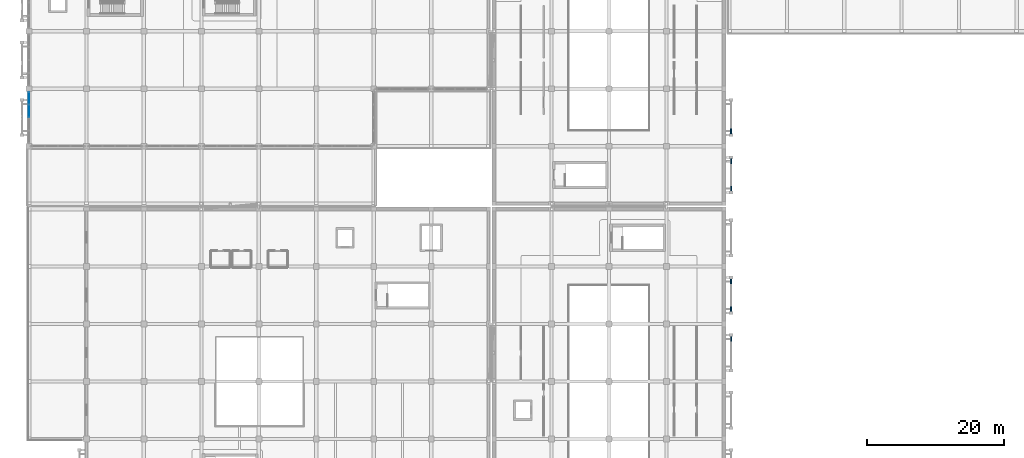
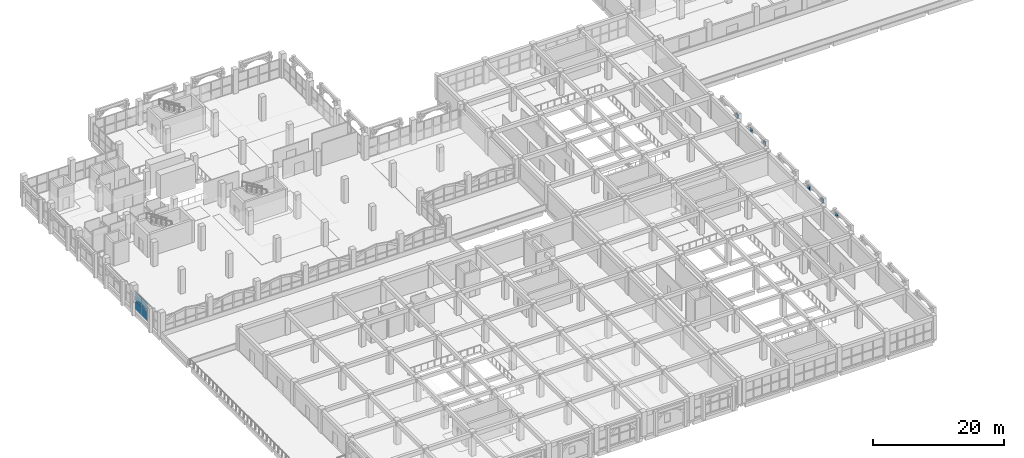
# One storey, part 95 of 129: 10 plates, 1 element without a shape of its own.
"""IFC4 building model written with IfcOpenShell, lengths in metres."""

from ifc_helpers import new_model, si_unit, direction, frame, origin, origin_2d, place, context, subcontext, project, spatial, rectangle, extrude, material, layer, layer_set, type_object, element, aggregate, save


model = new_model("IFC4")

# Units and contexts
model_context = context("Model", 3, precision=1e-05, world=origin(), true_north=direction((0.0, 1.0)))
body_context = subcontext(model_context, "Body", "Model", "MODEL_VIEW")
ifc_project = project(units=[si_unit("LENGTHUNIT", "METRE"), si_unit("AREAUNIT", "SQUARE_METRE"), si_unit("VOLUMEUNIT", "CUBIC_METRE"), si_unit("PLANEANGLEUNIT", "RADIAN"), si_unit("MASSUNIT", "GRAM", prefix="KILO")], contexts=[model_context])

# Site, building, storey
site_placement = place(None, origin())
site = spatial("IfcSite", under=ifc_project, at=site_placement, CompositionType="ELEMENT")
building_placement = place(site_placement, origin())
building = spatial("IfcBuilding", under=site, at=building_placement, Name="Xazarin Passage Department Store", CompositionType="ELEMENT")
storey_placement = place(building_placement, frame((0.0, 0.0, 9.89990234375)))
storey = spatial("IfcBuildingStorey", under=building, at=storey_placement, Name="L02", CompositionType="ELEMENT", Elevation=9.89990234375)

# Curtain wall, plates
ifc_material_1 = material(Name="Bronze anodised aluminium", Category="aluminium")
ifc_layer_1 = layer(ifc_material_1, 0.199951171875)
ifc_layer_set_1 = layer_set([ifc_layer_1], Name="Bronze anodised aluminium")
curtain_wall_type = type_object("IfcCurtainWallType", Name="ARC-CW-VIT2", PredefinedType="NOTDEFINED", material=ifc_layer_set_1)
curtain_wall_placement = place(storey_placement, origin())
curtain_wall = element("IfcCurtainWall", 1, at=curtain_wall_placement, inside=storey, type_object=curtain_wall_type, Name="L02 V1 Curtain Wall 045", PredefinedType="NOTDEFINED")
ifc_material_2 = material(Name="Low-E laminated safety glass", Category="glass")
ifc_layer_2 = layer(ifc_material_2, 0.031982421875)
ifc_layer_set_2 = layer_set([ifc_layer_2], Name="Low-E laminated safety glass")
plate_type_1 = type_object("IfcPlateType", Name="ARC-CWP-GLZ32", PredefinedType="CURTAIN_PANEL", material=ifc_layer_set_2)
plate_1_placement = place(storey_placement, frame((0.0, 64.74365234375, 0.0751953125), z_axis=(0.0, 0.0, 1.0), x_axis=(0.0, 1.0, 0.0)))
plate_1 = element("IfcPlate", 2, at=plate_1_placement, type_object=plate_type_1, Name="CW2 panel 3.1", PredefinedType="CURTAIN_PANEL", context=body_context, shape_type="SweptSolid", body=[
    extrude(rectangle(XDim=1.8125, YDim=0.031982421875, at=origin_2d()), origin(), (0.0, 0.0, 1.0), 1.612548828125),
])
plate_2_placement = place(storey_placement, frame((0.0, 64.74365234375, 1.7626953125), z_axis=(0.0, 0.0, 1.0), x_axis=(0.0, 1.0, 0.0)))
plate_2 = element("IfcPlate", 3, at=plate_2_placement, type_object=plate_type_1, Name="CW2 panel 3.2", PredefinedType="CURTAIN_PANEL", context=body_context, shape_type="SweptSolid", body=[
    extrude(rectangle(XDim=1.8125, YDim=0.031982421875, at=origin_2d()), origin(), (0.0, 0.0, 1.0), 1.612548828125),
])
plate_3_placement = place(storey_placement, frame((0.0, 66.612548828125, 0.0751953125), z_axis=(0.0, 0.0, 1.0), x_axis=(0.0, 1.0, 0.0)))
plate_3 = element("IfcPlate", 4, at=plate_3_placement, type_object=plate_type_1, Name="CW2 panel 4.1", PredefinedType="CURTAIN_PANEL", context=body_context, shape_type="SweptSolid", body=[
    extrude(rectangle(XDim=1.77490234375, YDim=0.031982421875, at=origin_2d()), origin(), (0.0, 0.0, 1.0), 1.612548828125),
])
plate_4_placement = place(storey_placement, frame((0.0, 66.612548828125, 1.7626953125), z_axis=(0.0, 0.0, 1.0), x_axis=(0.0, 1.0, 0.0)))
plate_4 = element("IfcPlate", 5, at=plate_4_placement, type_object=plate_type_1, Name="CW2 panel 4.2", PredefinedType="CURTAIN_PANEL", context=body_context, shape_type="SweptSolid", body=[
    extrude(rectangle(XDim=1.77490234375, YDim=0.031982421875, at=origin_2d()), origin(), (0.0, 0.0, 1.0), 1.612548828125),
])
aggregate(curtain_wall, [plate_1, plate_2, plate_3, plate_4])

# Plates
ifc_material_3 = material(Name="Precast concrete C40/50", Category="concrete")
ifc_layer_3 = layer(ifc_material_3, 0.139892578125)
ifc_layer_set_3 = layer_set([ifc_layer_3], Name="Precast concrete C40/50")
plate_type_2 = type_object("IfcPlateType", Name="ARC-PLT-SCR-07", PredefinedType="USERDEFINED", material=ifc_layer_set_3)
for number, where, z_axis, x_axis, name in (
    (6, (102.64990234375, 53.39990234375, 3.26025390625), (0.0, 0.0, 1.0), (0.0, 1.0, 0.0), "L02 V2N Arch Spandrel Tympanum 0207"),
    (7, (102.64990234375, 57.39990234375, 3.26025390625), (0.0, 0.0, 1.0), (0.0, 1.0, 0.0), "L02 V2N Arch Spandrel Tympanum 0208"),
):
    element("IfcPlate", number, at=place(storey_placement, frame(where, z_axis=z_axis, x_axis=x_axis)), inside=storey, type_object=plate_type_2, Name=name, ObjectType="SCREEN PANEL", PredefinedType="USERDEFINED", context=body_context, shape_type="SweptSolid", body=[
        extrude(rectangle(XDim=0.679931640625, YDim=0.139892578125, at=origin_2d()), origin(), (0.0, 0.0, 1.0), 0.719970703125),
    ])
ifc_layer_4 = layer(ifc_material_3, 0.159912109375)
ifc_layer_set_4 = layer_set([ifc_layer_4], Name="Precast concrete C40/50")
plate_type_3 = type_object("IfcPlateType", Name="ARC-PLT-SCR-09", PredefinedType="USERDEFINED", material=ifc_layer_set_4)
plate_5_placement = place(storey_placement, frame((102.64990234375, 31.39990234375, 3.26025390625), z_axis=(0.0, 0.0, 1.0), x_axis=(0.0, 1.0, 0.0)))
element("IfcPlate", 8, at=plate_5_placement, inside=storey, type_object=plate_type_3, Name="L02 V2S Arch Spandrel Tympanum 0190", ObjectType="SCREEN PANEL", PredefinedType="USERDEFINED", context=body_context, shape_type="SweptSolid", body=[
    extrude(rectangle(XDim=0.679931640625, YDim=0.159912109375, at=origin_2d()), origin(), (0.0, 0.0, 1.0), 0.719970703125),
])
ifc_layer_5 = layer(ifc_material_3, 0.199951171875)
ifc_layer_set_5 = layer_set([ifc_layer_5], Name="Precast concrete C40/50")
plate_type_4 = type_object("IfcPlateType", Name="ARC-PLT-SCR-13", PredefinedType="USERDEFINED", material=ifc_layer_set_5)
plate_6_placement = place(storey_placement, frame((102.64990234375, 61.800048828125, 3.26025390625), z_axis=(0.0, 0.0, 1.0), x_axis=(0.0, 1.0, 0.0)))
element("IfcPlate", 9, at=plate_6_placement, inside=storey, type_object=plate_type_4, Name="L02 V2N Arch Spandrel Tympanum 0213", ObjectType="SCREEN PANEL", PredefinedType="USERDEFINED", context=body_context, shape_type="SweptSolid", body=[
    extrude(rectangle(XDim=0.679931640625, YDim=0.199951171875, at=origin_2d()), origin(), (0.0, 0.0, 1.0), 0.719970703125),
])
ifc_layer_6 = layer(ifc_material_3, 0.219970703125)
ifc_layer_set_6 = layer_set([ifc_layer_6], Name="Precast concrete C40/50")
plate_type_5 = type_object("IfcPlateType", Name="ARC-PLT-SCR-15", PredefinedType="USERDEFINED", material=ifc_layer_set_6)
for number, where, z_axis, x_axis, name in (
    (10, (102.64990234375, 35.800048828125, 3.26025390625), (0.0, 0.0, 1.0), (0.0, 1.0, 0.0), "L02 V2S Arch Spandrel Tympanum 0195"),
    (11, (102.64990234375, 39.800048828125, 3.26025390625), (0.0, 0.0, 1.0), (0.0, 1.0, 0.0), "L02 V2S Arch Spandrel Tympanum 0196"),
):
    element("IfcPlate", number, at=place(storey_placement, frame(where, z_axis=z_axis, x_axis=x_axis)), inside=storey, type_object=plate_type_5, Name=name, ObjectType="SCREEN PANEL", PredefinedType="USERDEFINED", context=body_context, shape_type="SweptSolid", body=[
        extrude(rectangle(XDim=0.679931640625, YDim=0.219970703125, at=origin_2d()), origin(), (0.0, 0.0, 1.0), 0.719970703125),
    ])

save(model, "model.ifc")
